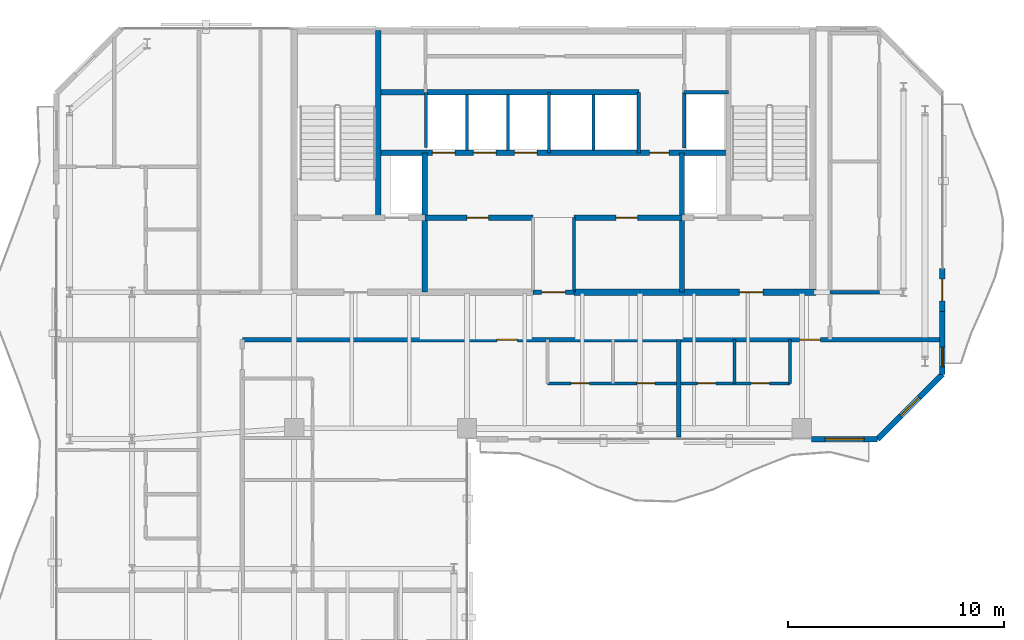
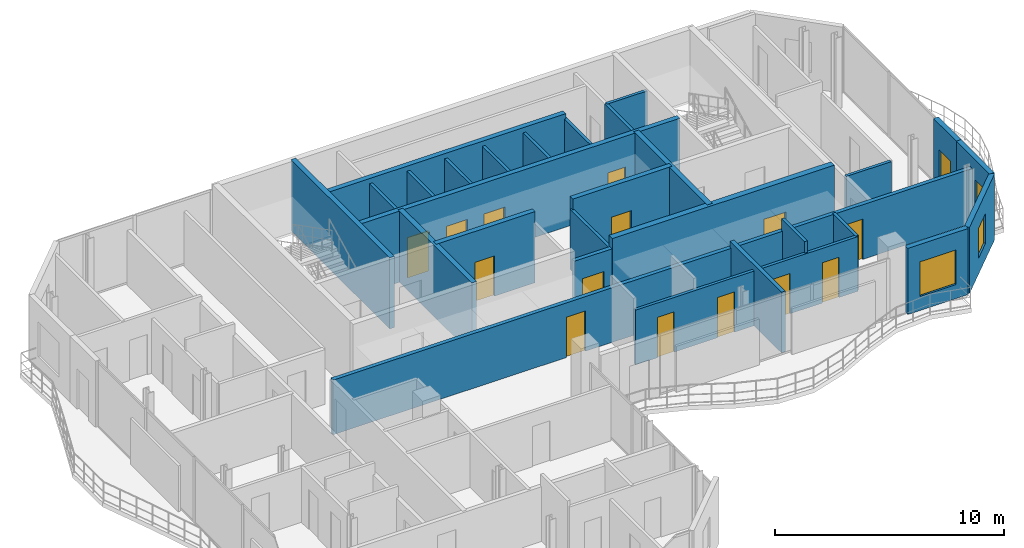
# One storey, part 19 of 22: 28 walls, 15 doors, 3 windows, 18 openings.
"""IFC4 building model written with IfcOpenShell, lengths in metres."""

from ifc_helpers import new_model, si_unit, direction, frame, frame_2d, origin, place, context, subcontext, project, spatial, rectangle, extrude, material, layer, layer_set, type_object, element, fill, save


model = new_model("IFC4")

# Units and contexts
model_context = context("Model", 3, precision=1e-05, world=origin(), true_north=direction((0.0, 1.0)))
body_context = subcontext(model_context, "Body", "Model", "MODEL_VIEW")
ifc_project = project(units=[si_unit("LENGTHUNIT", "METRE"), si_unit("AREAUNIT", "SQUARE_METRE"), si_unit("VOLUMEUNIT", "CUBIC_METRE"), si_unit("PLANEANGLEUNIT", "RADIAN"), si_unit("MASSUNIT", "GRAM", prefix="KILO")], contexts=[model_context])

# Site, building, storey
site_placement = place(None, origin())
site = spatial("IfcSite", under=ifc_project, at=site_placement, CompositionType="ELEMENT")
building_placement = place(site_placement, origin())
building = spatial("IfcBuilding", under=site, at=building_placement, Name="Catumbela Crestline Tower", CompositionType="ELEMENT")
storey_placement = place(building_placement, frame((0.0, 0.0, 226.0)))
storey = spatial("IfcBuildingStorey", under=building, at=storey_placement, Name="L58", CompositionType="ELEMENT", Elevation=226.0)

# Walls
ifc_material_1 = material(Name="Concrete C50/60", Category="concrete")
ifc_layer_1 = layer(ifc_material_1, 0.25, Name="Concrete C50/60")
ifc_layer_set_1 = layer_set([ifc_layer_1], Name="Concrete C50/60")
wall_type_1 = type_object("IfcWallType", Name="CW-250D", PredefinedType="SHEAR", material=ifc_layer_set_1)
wall_1_placement = place(storey_placement, frame((19.9, 34.25, 0.0), z_axis=(0.0, 0.0, 1.0), x_axis=(0.0, 1.0, 0.0)))
element("IfcWall", 1, at=wall_1_placement, inside=storey, type_object=wall_type_1, Name="L58 Structural Core Shear Wall WWEB", PredefinedType="SHEAR", context=body_context, shape_type="SweptSolid", body=[
    extrude(rectangle(XDim=8.65, YDim=0.25, at=frame_2d((4.325, 0.0))), origin(), (0.0, 0.0, 1.0), 3.8),
])
for number, where, z_axis, x_axis, name in (
    (2, (22.05, 30.8, 0.0), (0.0, 0.0, 1.0), (0.0, 1.0, 0.0), "L58 Structural Core Shear Wall FFW"),
    (3, (33.95, 30.8, 0.0), (0.0, 0.0, 1.0), (0.0, 1.0, 0.0), "L58 Structural Core Shear Wall FFE"),
):
    element("IfcWall", number, at=place(storey_placement, frame(where, z_axis=z_axis, x_axis=x_axis)), inside=storey, type_object=wall_type_1, Name=name, PredefinedType="SHEAR", context=body_context, shape_type="SweptSolid", body=[
        extrude(rectangle(XDim=6.45, YDim=0.25, at=frame_2d((3.225, 0.0))), origin(), (0.0, 0.0, 1.0), 3.8),
    ])

# Wall, opening, door
wall_2_placement = place(storey_placement, frame((22.05, 34.25, 0.0), z_axis=(0.0, 0.0, 1.0), x_axis=(1.0, 0.0, 0.0)))
wall_2 = element("IfcWall", 4, at=wall_2_placement, inside=storey, type_object=wall_type_1, Name="L58 Structural Core Shear Wall LIFTS-W", PredefinedType="SHEAR", context=body_context, shape_type="SweptSolid", body=[
    extrude(rectangle(XDim=5.0, YDim=0.25, at=frame_2d((2.5, 0.0))), origin(), (0.0, 0.0, 1.0), 3.8),
])
opening_1_placement = place(wall_2_placement, frame((1.95, 0.0, 0.0)))
opening_1 = element("IfcOpeningElement", 5, at=opening_1_placement, cuts=wall_2, Name="Opening DF9-100", PredefinedType="OPENING", context=body_context, shape_type="SweptSolid", body=[
    extrude(rectangle(XDim=1.0, YDim=2.15, at=frame_2d((0.5, 1.075))), frame((0.0, 0.135, 0.0), z_axis=(0.0, -1.0, 0.0), x_axis=(1.0, 0.0, 0.0)), (0.0, 0.0, 1.0), 0.27),
])
ifc_material_2 = material(Name="Stainless steel EN 1.4401", Category="steel")
door_type_1 = type_object("IfcDoorType", Name="DF9-100", OperationType="NOTDEFINED", PredefinedType="DOOR", material=ifc_material_2)
door_1_placement = place(opening_1_placement, origin())
door_1 = element("IfcDoor", 6, at=door_1_placement, inside=storey, type_object=door_type_1, Name="L58 Interior Door DR-L58-RECL1", OperationType="SINGLE_SWING_LEFT", OverallHeight=2.15, OverallWidth=1.0, PredefinedType="DOOR", context=body_context, shape_type="SweptSolid", body=[
    extrude(rectangle(XDim=1.0, YDim=2.15, at=frame_2d((0.5, 1.075))), frame((0.0, 0.025, 0.0), z_axis=(0.0, -1.0, 0.0), x_axis=(1.0, 0.0, 0.0)), (0.0, 0.0, 1.0), 0.05),
])
fill(opening_1, door_1)

wall_3_placement = place(storey_placement, frame((28.95, 34.25, 0.0), z_axis=(0.0, 0.0, 1.0), x_axis=(1.0, 0.0, 0.0)))
wall_3 = element("IfcWall", 7, at=wall_3_placement, inside=storey, type_object=wall_type_1, Name="L58 Structural Core Shear Wall LIFTS-E", PredefinedType="SHEAR", context=body_context, shape_type="SweptSolid", body=[
    extrude(rectangle(XDim=5.0, YDim=0.25, at=frame_2d((2.5, 0.0))), origin(), (0.0, 0.0, 1.0), 3.8),
])
opening_2_placement = place(wall_3_placement, frame((1.95, 0.0, 0.0)))
opening_2 = element("IfcOpeningElement", 8, at=opening_2_placement, cuts=wall_3, Name="Opening DF9-100", PredefinedType="OPENING", context=body_context, shape_type="SweptSolid", body=[
    extrude(rectangle(XDim=1.0, YDim=2.15, at=frame_2d((0.5, 1.075))), frame((0.0, 0.135, 0.0), z_axis=(0.0, -1.0, 0.0), x_axis=(1.0, 0.0, 0.0)), (0.0, 0.0, 1.0), 0.27),
])
door_2_placement = place(opening_2_placement, origin())
door_2 = element("IfcDoor", 9, at=door_2_placement, inside=storey, type_object=door_type_1, Name="L58 Interior Door DR-L58-RECL2", OperationType="SINGLE_SWING_RIGHT", OverallHeight=2.15, OverallWidth=1.0, PredefinedType="DOOR", context=body_context, shape_type="SweptSolid", body=[
    extrude(rectangle(XDim=1.0, YDim=2.15, at=frame_2d((0.5, 1.075))), frame((0.0, 0.025, 0.0), z_axis=(0.0, -1.0, 0.0), x_axis=(1.0, 0.0, 0.0)), (0.0, 0.0, 1.0), 0.05),
])
fill(opening_2, door_2)

# Wall, openings, doors
wall_4_placement = place(storey_placement, frame((19.9, 37.25, 0.0), z_axis=(0.0, 0.0, 1.0), x_axis=(1.0, 0.0, 0.0)))
wall_4 = element("IfcWall", 10, at=wall_4_placement, inside=storey, type_object=wall_type_1, Name="L58 Structural Core Shear Wall LIFTN", PredefinedType="SHEAR", context=body_context, shape_type="SweptSolid", body=[
    extrude(rectangle(XDim=16.2, YDim=0.25, at=frame_2d((8.1, 0.0))), origin(), (0.0, 0.0, 1.0), 3.8),
])
opening_3_placement = place(wall_4_placement, frame((12.55, 0.0, 0.0)))
opening_3 = element("IfcOpeningElement", 11, at=opening_3_placement, cuts=wall_4, Name="Opening DF9-090", PredefinedType="OPENING", context=body_context, shape_type="SweptSolid", body=[
    extrude(rectangle(XDim=0.9, YDim=2.15, at=frame_2d((0.45, 1.075))), frame((0.0, 0.135, 0.0), z_axis=(0.0, -1.0, 0.0), x_axis=(1.0, 0.0, 0.0)), (0.0, 0.0, 1.0), 0.27),
])
opening_4_placement = place(wall_4_placement, frame((2.5, 0.0, 0.0)))
opening_4 = element("IfcOpeningElement", 12, at=opening_4_placement, cuts=wall_4, Name="Opening LD-105", PredefinedType="OPENING", context=body_context, shape_type="SweptSolid", body=[
    extrude(rectangle(XDim=1.05, YDim=2.15, at=frame_2d((0.525, 1.075))), frame((0.0, 0.135, 0.0), z_axis=(0.0, -1.0, 0.0), x_axis=(1.0, 0.0, 0.0)), (0.0, 0.0, 1.0), 0.27),
])
opening_5_placement = place(wall_4_placement, frame((4.4, 0.0, 0.0)))
opening_5 = element("IfcOpeningElement", 13, at=opening_5_placement, cuts=wall_4, Name="Opening LD-105", PredefinedType="OPENING", context=body_context, shape_type="SweptSolid", body=[
    extrude(rectangle(XDim=1.05, YDim=2.15, at=frame_2d((0.525, 1.075))), frame((0.0, 0.135, 0.0), z_axis=(0.0, -1.0, 0.0), x_axis=(1.0, 0.0, 0.0)), (0.0, 0.0, 1.0), 0.27),
])
opening_6_placement = place(wall_4_placement, frame((6.3, 0.0, 0.0)))
opening_6 = element("IfcOpeningElement", 14, at=opening_6_placement, cuts=wall_4, Name="Opening LD-105", PredefinedType="OPENING", context=body_context, shape_type="SweptSolid", body=[
    extrude(rectangle(XDim=1.05, YDim=2.15, at=frame_2d((0.525, 1.075))), frame((0.0, 0.135, 0.0), z_axis=(0.0, -1.0, 0.0), x_axis=(1.0, 0.0, 0.0)), (0.0, 0.0, 1.0), 0.27),
])
door_type_2 = type_object("IfcDoorType", Name="DF9-090", OperationType="NOTDEFINED", PredefinedType="DOOR", material=ifc_material_2)
door_3_placement = place(opening_3_placement, origin())
door_3 = element("IfcDoor", 15, at=door_3_placement, inside=storey, type_object=door_type_2, Name="L58 Interior Door DR-L58-CPAS1", OperationType="SINGLE_SWING_LEFT", OverallHeight=2.15, OverallWidth=0.9, PredefinedType="DOOR", context=body_context, shape_type="SweptSolid", body=[
    extrude(rectangle(XDim=0.9, YDim=2.15, at=frame_2d((0.45, 1.075))), frame((0.0, 0.025, 0.0), z_axis=(0.0, -1.0, 0.0), x_axis=(1.0, 0.0, 0.0)), (0.0, 0.0, 1.0), 0.05),
])
fill(opening_3, door_3)
door_type_3 = type_object("IfcDoorType", Name="LD-105", OperationType="NOTDEFINED", PredefinedType="DOOR", material=ifc_material_2)
door_4_placement = place(opening_4_placement, origin())
door_4 = element("IfcDoor", 16, at=door_4_placement, inside=storey, type_object=door_type_3, Name="L58 Lift Landing Sliding Door PL-H1", OperationType="DOUBLE_DOOR_SLIDING", OverallHeight=2.15, OverallWidth=1.05, PredefinedType="DOOR", context=body_context, shape_type="SweptSolid", body=[
    extrude(rectangle(XDim=1.05, YDim=2.15, at=frame_2d((0.525, 1.075))), frame((0.0, 0.025, 0.0), z_axis=(0.0, -1.0, 0.0), x_axis=(1.0, 0.0, 0.0)), (0.0, 0.0, 1.0), 0.05),
])
fill(opening_4, door_4)
door_5_placement = place(opening_5_placement, origin())
door_5 = element("IfcDoor", 17, at=door_5_placement, inside=storey, type_object=door_type_3, Name="L58 Lift Landing Sliding Door PL-H2", OperationType="DOUBLE_DOOR_SLIDING", OverallHeight=2.15, OverallWidth=1.05, PredefinedType="DOOR", context=body_context, shape_type="SweptSolid", body=[
    extrude(rectangle(XDim=1.05, YDim=2.15, at=frame_2d((0.525, 1.075))), frame((0.0, 0.025, 0.0), z_axis=(0.0, -1.0, 0.0), x_axis=(1.0, 0.0, 0.0)), (0.0, 0.0, 1.0), 0.05),
])
fill(opening_5, door_5)
door_6_placement = place(opening_6_placement, origin())
door_6 = element("IfcDoor", 18, at=door_6_placement, inside=storey, type_object=door_type_3, Name="L58 Lift Landing Sliding Door PL-H3", OperationType="DOUBLE_DOOR_SLIDING", OverallHeight=2.15, OverallWidth=1.05, PredefinedType="DOOR", context=body_context, shape_type="SweptSolid", body=[
    extrude(rectangle(XDim=1.05, YDim=2.15, at=frame_2d((0.525, 1.075))), frame((0.0, 0.025, 0.0), z_axis=(0.0, -1.0, 0.0), x_axis=(1.0, 0.0, 0.0)), (0.0, 0.0, 1.0), 0.05),
])
fill(opening_6, door_6)

# Wall
wall_5_placement = place(storey_placement, frame((19.9, 40.05, 0.0), z_axis=(0.0, 0.0, 1.0), x_axis=(1.0, 0.0, 0.0)))
element("IfcWall", 19, at=wall_5_placement, inside=storey, type_object=wall_type_1, Name="L58 Structural Core Shear Wall COREN", PredefinedType="SHEAR", context=body_context, shape_type="SweptSolid", body=[
    extrude(rectangle(XDim=12.05, YDim=0.25, at=frame_2d((6.025, 0.0))), origin(), (0.0, 0.0, 1.0), 3.8),
])

# Wall, opening, door
ifc_material_3 = material(Name="Concrete C45/55", Category="concrete")
ifc_layer_2 = layer(ifc_material_3, 0.3, Name="Concrete C45/55")
ifc_layer_set_2 = layer_set([ifc_layer_2], Name="Concrete C45/55")
wall_type_2 = type_object("IfcWallType", Name="CW-300C", PredefinedType="SHEAR", material=ifc_layer_set_2)
wall_6_placement = place(storey_placement, frame((28.95, 30.8, 0.0), z_axis=(0.0, 0.0, 1.0), x_axis=(1.0, 0.0, 0.0)))
wall_6 = element("IfcWall", 20, at=wall_6_placement, inside=storey, type_object=wall_type_2, Name="L58 Structural Core Shear Wall SE", PredefinedType="SHEAR", context=body_context, shape_type="SweptSolid", body=[
    extrude(rectangle(XDim=11.2, YDim=0.3, at=frame_2d((5.6, 0.0))), origin(), (0.0, 0.0, 1.0), 3.8),
])
opening_7_placement = place(wall_6_placement, frame((7.65, 0.0, 0.0)))
opening_7 = element("IfcOpeningElement", 21, at=opening_7_placement, cuts=wall_6, Name="Opening DF9-110", PredefinedType="OPENING", context=body_context, shape_type="SweptSolid", body=[
    extrude(rectangle(XDim=1.1, YDim=2.15, at=frame_2d((0.55, 1.075))), frame((0.0, 0.16, 0.0), z_axis=(0.0, -1.0, 0.0), x_axis=(1.0, 0.0, 0.0)), (0.0, 0.0, 1.0), 0.32),
])
door_type_4 = type_object("IfcDoorType", Name="DF9-110", OperationType="NOTDEFINED", PredefinedType="DOOR", material=ifc_material_2)
door_7_placement = place(opening_7_placement, origin())
door_7 = element("IfcDoor", 22, at=door_7_placement, inside=storey, type_object=door_type_4, Name="L58 Interior Door DR-L58-FFE-S", OperationType="SINGLE_SWING_RIGHT", OverallHeight=2.15, OverallWidth=1.1, PredefinedType="DOOR", context=body_context, shape_type="SweptSolid", body=[
    extrude(rectangle(XDim=1.1, YDim=2.15, at=frame_2d((0.55, 1.075))), frame((0.0, 0.025, 0.0), z_axis=(0.0, -1.0, 0.0), x_axis=(1.0, 0.0, 0.0)), (0.0, 0.0, 1.0), 0.05),
])
fill(opening_7, door_7)

ifc_material_4 = material(Name="Acoustic gypsum and mineral-wool partition")
ifc_layer_3 = layer(ifc_material_4, 0.2, Name="Acoustic gypsum and mineral-wool partition")
ifc_layer_set_3 = layer_set([ifc_layer_3], Name="Acoustic gypsum and mineral-wool partition")
wall_type_3 = type_object("IfcWallType", Name="WC-200", PredefinedType="PARTITIONING", material=ifc_layer_set_3)
wall_7_placement = place(storey_placement, frame((27.05, 30.8, 0.0), z_axis=(0.0, 0.0, 1.0), x_axis=(1.0, 0.0, 0.0)))
wall_7 = element("IfcWall", 23, at=wall_7_placement, inside=storey, type_object=wall_type_3, Name="L58 Interior Partition PW-L58-CLOBS", PredefinedType="PARTITIONING", context=body_context, shape_type="SweptSolid", body=[
    extrude(rectangle(XDim=1.9, YDim=0.2, at=frame_2d((0.95, 0.0))), origin(), (0.0, 0.0, 1.0), 3.22),
])
opening_8_placement = place(wall_7_placement, frame((0.4, 0.0, 0.0)))
opening_8 = element("IfcOpeningElement", 24, at=opening_8_placement, cuts=wall_7, Name="Opening DF9-110", PredefinedType="OPENING", context=body_context, shape_type="SweptSolid", body=[
    extrude(rectangle(XDim=1.1, YDim=2.15, at=frame_2d((0.55, 1.075))), frame((0.0, 0.11, 0.0), z_axis=(0.0, -1.0, 0.0), x_axis=(1.0, 0.0, 0.0)), (0.0, 0.0, 1.0), 0.22),
])
door_8_placement = place(opening_8_placement, origin())
door_8 = element("IfcDoor", 25, at=door_8_placement, inside=storey, type_object=door_type_4, Name="L58 Interior Door DR-L58-CLOBS", OperationType="SINGLE_SWING_LEFT", OverallHeight=2.15, OverallWidth=1.1, PredefinedType="DOOR", context=body_context, shape_type="SweptSolid", body=[
    extrude(rectangle(XDim=1.1, YDim=2.15, at=frame_2d((0.55, 1.075))), frame((0.0, 0.025, 0.0), z_axis=(0.0, -1.0, 0.0), x_axis=(1.0, 0.0, 0.0)), (0.0, 0.0, 1.0), 0.05),
])
fill(opening_8, door_8)

# Wall, openings, doors
wall_8_placement = place(storey_placement, frame((13.6, 28.6, 0.0), z_axis=(0.0, 0.0, 1.0), x_axis=(1.0, 0.0, 0.0)))
wall_8 = element("IfcWall", 26, at=wall_8_placement, inside=storey, type_object=wall_type_3, Name="L58 Interior Partition PW-L58-RCWR", PredefinedType="PARTITIONING", context=body_context, shape_type="SweptSolid", body=[
    extrude(rectangle(XDim=32.3, YDim=0.2, at=frame_2d((16.15, 0.0))), origin(), (0.0, 0.0, 1.0), 2.92),
])
opening_9_placement = place(wall_8_placement, frame((11.787, 0.0, 0.0)))
opening_9 = element("IfcOpeningElement", 27, at=opening_9_placement, cuts=wall_8, Name="Opening DF6-095", PredefinedType="OPENING", context=body_context, shape_type="SweptSolid", body=[
    extrude(rectangle(XDim=0.95, YDim=2.15, at=frame_2d((0.475, 1.075))), frame((0.0, 0.11, 0.0), z_axis=(0.0, -1.0, 0.0), x_axis=(1.0, 0.0, 0.0)), (0.0, 0.0, 1.0), 0.22),
])
opening_10_placement = place(wall_8_placement, frame((25.8, 0.0, 0.0)))
opening_10 = element("IfcOpeningElement", 28, at=opening_10_placement, cuts=wall_8, Name="Opening DF6-095", PredefinedType="OPENING", context=body_context, shape_type="SweptSolid", body=[
    extrude(rectangle(XDim=0.95, YDim=2.15, at=frame_2d((0.475, 1.075))), frame((0.0, 0.11, 0.0), z_axis=(0.0, -1.0, 0.0), x_axis=(1.0, 0.0, 0.0)), (0.0, 0.0, 1.0), 0.22),
])
ifc_material_5 = material(Name="Aluminium alloy AW-6060-T66", Category="aluminium")
door_type_5 = type_object("IfcDoorType", Name="DF6-095", OperationType="NOTDEFINED", PredefinedType="DOOR", material=ifc_material_5)
door_9_placement = place(opening_9_placement, origin())
door_9 = element("IfcDoor", 29, at=door_9_placement, inside=storey, type_object=door_type_5, Name="L58 Interior Door DR-L58-S1-ENT", OperationType="SINGLE_SWING_LEFT", OverallHeight=2.15, OverallWidth=0.95, PredefinedType="DOOR", context=body_context, shape_type="SweptSolid", body=[
    extrude(rectangle(XDim=0.95, YDim=2.15, at=frame_2d((0.475, 1.075))), frame((0.0, 0.025, 0.0), z_axis=(0.0, -1.0, 0.0), x_axis=(1.0, 0.0, 0.0)), (0.0, 0.0, 1.0), 0.05),
])
fill(opening_9, door_9)
door_10_placement = place(opening_10_placement, origin())
door_10 = element("IfcDoor", 30, at=door_10_placement, inside=storey, type_object=door_type_5, Name="L58 Interior Door DR-L58-S2-ENT", OperationType="SINGLE_SWING_RIGHT", OverallHeight=2.15, OverallWidth=0.95, PredefinedType="DOOR", context=body_context, shape_type="SweptSolid", body=[
    extrude(rectangle(XDim=0.95, YDim=2.15, at=frame_2d((0.475, 1.075))), frame((0.0, 0.025, 0.0), z_axis=(0.0, -1.0, 0.0), x_axis=(1.0, 0.0, 0.0)), (0.0, 0.0, 1.0), 0.05),
])
fill(opening_10, door_10)

# Wall, opening, window
ifc_material_6 = material(Name="Angolan grey-ochre granite", Category="masonry")
ifc_layer_4 = layer(ifc_material_6, 0.25, Name="Angolan grey-ochre granite")
ifc_layer_set_4 = layer_set([ifc_layer_4], Name="Angolan grey-ochre granite")
wall_type_4 = type_object("IfcWallType", Name="WE-250", PredefinedType="STANDARD", material=ifc_layer_set_4)
wall_9_placement = place(storey_placement, frame((39.95, 24.0, 0.0), z_axis=(0.0, 0.0, 1.0), x_axis=(1.0, 0.0, 0.0)))
wall_9 = element("IfcWall", 31, at=wall_9_placement, inside=storey, type_object=wall_type_4, Name="L58 Granite Punched Window Wall 3-3", PredefinedType="STANDARD", context=body_context, shape_type="SweptSolid", body=[
    extrude(rectangle(XDim=3.05, YDim=0.25, at=frame_2d((1.525, 0.0))), origin(), (0.0, 0.0, 1.0), 3.53),
])
opening_11_placement = place(wall_9_placement, frame((0.625, 0.0, 0.75)))
opening_11 = element("IfcOpeningElement", 32, at=opening_11_placement, cuts=wall_9, Name="Opening WN-01", PredefinedType="OPENING", context=body_context, shape_type="SweptSolid", body=[
    extrude(rectangle(XDim=1.8, YDim=1.85, at=frame_2d((0.9, 0.925))), frame((0.0, 0.135, 0.0), z_axis=(0.0, -1.0, 0.0), x_axis=(1.0, 0.0, 0.0)), (0.0, 0.0, 1.0), 0.27),
])
ifc_material_7 = material(Name="Low-E laminated solar-control double glazing", Category="glass")
window_type_1 = type_object("IfcWindowType", Name="WF-1800", PartitioningType="SINGLE_PANEL", PredefinedType="WINDOW", material=ifc_material_7)
window_1_placement = place(opening_11_placement, origin())
window_1 = element("IfcWindow", 33, at=window_1_placement, inside=storey, type_object=window_type_1, Name="L58 Facade Vision Window 407", OverallHeight=1.85, OverallWidth=1.8, PartitioningType="SINGLE_PANEL", PredefinedType="WINDOW", context=body_context, shape_type="SweptSolid", body=[
    extrude(rectangle(XDim=1.8, YDim=1.85, at=frame_2d((0.9, 0.925))), frame((0.0, 0.03, 0.0), z_axis=(0.0, -1.0, 0.0), x_axis=(1.0, 0.0, 0.0)), (0.0, 0.0, 1.0), 0.06),
])
fill(opening_11, window_1)

wall_10_placement = place(storey_placement, frame((43.0, 24.0, 0.0), z_axis=(0.0, 0.0, 1.0), x_axis=(0.707106781187, 0.707106781187, 0.0)))
wall_10 = element("IfcWall", 34, at=wall_10_placement, inside=storey, type_object=wall_type_4, Name="L58 Granite Punched Window Wall 4-1", PredefinedType="STANDARD", context=body_context, shape_type="SweptSolid", body=[
    extrude(rectangle(XDim=4.2426, YDim=0.25, at=frame_2d((2.1213, 0.0))), origin(), (0.0, 0.0, 1.0), 3.53),
])
opening_12_placement = place(wall_10_placement, frame((1.5213, 0.0, 0.85)))
opening_12 = element("IfcOpeningElement", 35, at=opening_12_placement, cuts=wall_10, Name="Opening WN-02", PredefinedType="OPENING", context=body_context, shape_type="SweptSolid", body=[
    extrude(rectangle(XDim=1.2, YDim=1.6, at=frame_2d((0.6, 0.8))), frame((0.0, 0.135, 0.0), z_axis=(0.0, -1.0, 0.0), x_axis=(1.0, 0.0, 0.0)), (0.0, 0.0, 1.0), 0.27),
])
window_type_2 = type_object("IfcWindowType", Name="WO-1200", PartitioningType="SINGLE_PANEL", PredefinedType="WINDOW", material=ifc_material_7)
window_2_placement = place(opening_12_placement, origin())
window_2 = element("IfcWindow", 36, at=window_2_placement, inside=storey, type_object=window_type_2, Name="L58 Facade Vision Window 408", OverallHeight=1.6, OverallWidth=1.2, PartitioningType="SINGLE_PANEL", PredefinedType="WINDOW", context=body_context, shape_type="SweptSolid", body=[
    extrude(rectangle(XDim=1.2, YDim=1.6, at=frame_2d((0.6, 0.8))), frame((0.0, 0.03, 0.0), z_axis=(0.0, -1.0, 0.0), x_axis=(1.0, 0.0, 0.0)), (0.0, 0.0, 1.0), 0.06),
])
fill(opening_12, window_2)

# Wall, opening, door
wall_11_placement = place(storey_placement, frame((46.0, 29.9, 0.0), z_axis=(0.0, 0.0, 1.0), x_axis=(0.0, 1.0, 0.0)))
wall_11 = element("IfcWall", 37, at=wall_11_placement, inside=storey, type_object=wall_type_4, Name="L58 Exterior Threshold Portal Wall DR-L58-WBAL-2", PredefinedType="STANDARD", context=body_context, shape_type="SweptSolid", body=[
    extrude(rectangle(XDim=2.0, YDim=0.25, at=frame_2d((1.0, 0.0))), origin(), (0.0, 0.0, 1.0), 3.53),
])
opening_13_placement = place(wall_11_placement, frame((0.5, 0.0, 0.0)))
opening_13 = element("IfcOpeningElement", 38, at=opening_13_placement, cuts=wall_11, Name="Opening DB-L58-2", PredefinedType="OPENING", context=body_context, shape_type="SweptSolid", body=[
    extrude(rectangle(XDim=1.0, YDim=2.15, at=frame_2d((0.5, 1.075))), frame((0.0, 0.135, 0.0), z_axis=(0.0, -1.0, 0.0), x_axis=(1.0, 0.0, 0.0)), (0.0, 0.0, 1.0), 0.27),
])
door_type_6 = type_object("IfcDoorType", Name="DB-1000", OperationType="NOTDEFINED", PredefinedType="DOOR", material=ifc_material_5)
door_11_placement = place(opening_13_placement, origin())
door_11 = element("IfcDoor", 39, at=door_11_placement, inside=storey, type_object=door_type_6, Name="L58 Wave Balcony Terrace Door 2", OperationType="SINGLE_SWING_LEFT", OverallHeight=2.15, OverallWidth=1.0, PredefinedType="DOOR", context=body_context, shape_type="SweptSolid", body=[
    extrude(rectangle(XDim=1.0, YDim=2.15, at=frame_2d((0.5, 1.075))), frame((0.0, 0.025, 0.0), z_axis=(0.0, -1.0, 0.0), x_axis=(1.0, 0.0, 0.0)), (0.0, 0.0, 1.0), 0.05),
])
fill(opening_13, door_11)

# Wall, opening, window
wall_12_placement = place(storey_placement, frame((46.0, 27.0, 0.0), z_axis=(0.0, 0.0, 1.0), x_axis=(0.0, 1.0, 0.0)))
wall_12 = element("IfcWall", 40, at=wall_12_placement, inside=storey, type_object=wall_type_4, Name="L58 Granite Punched Window Wall 5-1", PredefinedType="STANDARD", context=body_context, shape_type="SweptSolid", body=[
    extrude(rectangle(XDim=2.9, YDim=0.25, at=frame_2d((1.45, 0.0))), origin(), (0.0, 0.0, 1.0), 3.53),
])
opening_14_placement = place(wall_12_placement, frame((0.36, 0.0, 0.9)))
opening_14 = element("IfcOpeningElement", 41, at=opening_14_placement, cuts=wall_12, Name="Opening WN-03", PredefinedType="OPENING", context=body_context, shape_type="SweptSolid", body=[
    extrude(rectangle(XDim=0.9, YDim=1.55, at=frame_2d((0.45, 0.775))), frame((0.0, 0.135, 0.0), z_axis=(0.0, -1.0, 0.0), x_axis=(1.0, 0.0, 0.0)), (0.0, 0.0, 1.0), 0.27),
])
window_type_3 = type_object("IfcWindowType", Name="WO-0900", PartitioningType="SINGLE_PANEL", PredefinedType="WINDOW", material=ifc_material_7)
window_3_placement = place(opening_14_placement, origin())
window_3 = element("IfcWindow", 42, at=window_3_placement, inside=storey, type_object=window_type_3, Name="L58 Facade Vision Window 409", OverallHeight=1.55, OverallWidth=0.9, PartitioningType="SINGLE_PANEL", PredefinedType="WINDOW", context=body_context, shape_type="SweptSolid", body=[
    extrude(rectangle(XDim=0.9, YDim=1.55, at=frame_2d((0.45, 0.775))), frame((0.0, 0.03, 0.0), z_axis=(0.0, -1.0, 0.0), x_axis=(1.0, 0.0, 0.0)), (0.0, 0.0, 1.0), 0.06),
])
fill(opening_14, window_3)

# Walls
ifc_layer_5 = layer(ifc_material_4, 0.15, Name="Acoustic gypsum and mineral-wool partition")
ifc_layer_set_5 = layer_set([ifc_layer_5], Name="Acoustic gypsum and mineral-wool partition")
wall_type_5 = type_object("IfcWallType", Name="WP-150", PredefinedType="PARTITIONING", material=ifc_layer_set_5)
wall_13_placement = place(storey_placement, frame((34.05, 40.05, 0.0), z_axis=(0.0, 0.0, 1.0), x_axis=(1.0, 0.0, 0.0)))
element("IfcWall", 43, at=wall_13_placement, inside=storey, type_object=wall_type_5, Name="L58 Interior Partition PW-L58-CR-ES", PredefinedType="PARTITIONING", context=body_context, shape_type="SweptSolid", body=[
    extrude(rectangle(XDim=2.05, YDim=0.15, at=frame_2d((1.025, 0.0))), origin(), (0.0, 0.0, 1.0), 3.53),
])
wall_14_placement = place(storey_placement, frame((40.8, 30.8, 0.0), z_axis=(0.0, 0.0, 1.0), x_axis=(1.0, 0.0, 0.0)))
element("IfcWall", 44, at=wall_14_placement, inside=storey, type_object=wall_type_5, Name="L58 Interior Partition PW-L58-NE1-KBS", PredefinedType="PARTITIONING", context=body_context, shape_type="SweptSolid", body=[
    extrude(rectangle(XDim=2.28, YDim=0.15, at=frame_2d((1.14, 0.0))), origin(), (0.0, 0.0, 1.0), 2.92),
])

# Wall, openings, doors
wall_15_placement = place(storey_placement, frame((27.724, 26.576, 0.0), z_axis=(0.0, 0.0, 1.0), x_axis=(1.0, 0.0, 0.0)))
wall_15 = element("IfcWall", 45, at=wall_15_placement, inside=storey, type_object=wall_type_5, Name="L58 Interior Partition PW-L58-S1-KBD1", PredefinedType="PARTITIONING", context=body_context, shape_type="SweptSolid", body=[
    extrude(rectangle(XDim=11.226, YDim=0.15, at=frame_2d((5.613, 0.0))), origin(), (0.0, 0.0, 1.0), 2.92),
])
opening_15_placement = place(wall_15_placement, frame((1.094, 0.0, 0.0)))
opening_15 = element("IfcOpeningElement", 46, at=opening_15_placement, cuts=wall_15, Name="Opening DI-085", PredefinedType="OPENING", context=body_context, shape_type="SweptSolid", body=[
    extrude(rectangle(XDim=0.85, YDim=2.15, at=frame_2d((0.425, 1.075))), frame((0.0, 0.085, 0.0), z_axis=(0.0, -1.0, 0.0), x_axis=(1.0, 0.0, 0.0)), (0.0, 0.0, 1.0), 0.17),
])
opening_16_placement = place(wall_15_placement, frame((4.132, 0.0, 0.0)))
opening_16 = element("IfcOpeningElement", 47, at=opening_16_placement, cuts=wall_15, Name="Opening DI-085", PredefinedType="OPENING", context=body_context, shape_type="SweptSolid", body=[
    extrude(rectangle(XDim=0.85, YDim=2.15, at=frame_2d((0.425, 1.075))), frame((0.0, 0.085, 0.0), z_axis=(0.0, -1.0, 0.0), x_axis=(1.0, 0.0, 0.0)), (0.0, 0.0, 1.0), 0.17),
])
opening_17_placement = place(wall_15_placement, frame((6.9385, 0.0, 0.0)))
opening_17 = element("IfcOpeningElement", 48, at=opening_17_placement, cuts=wall_15, Name="Opening DI-085", PredefinedType="OPENING", context=body_context, shape_type="SweptSolid", body=[
    extrude(rectangle(XDim=0.85, YDim=2.15, at=frame_2d((0.425, 1.075))), frame((0.0, 0.085, 0.0), z_axis=(0.0, -1.0, 0.0), x_axis=(1.0, 0.0, 0.0)), (0.0, 0.0, 1.0), 0.17),
])
opening_18_placement = place(wall_15_placement, frame((9.4225, 0.0, 0.0)))
opening_18 = element("IfcOpeningElement", 49, at=opening_18_placement, cuts=wall_15, Name="Opening DI-085", PredefinedType="OPENING", context=body_context, shape_type="SweptSolid", body=[
    extrude(rectangle(XDim=0.85, YDim=2.15, at=frame_2d((0.425, 1.075))), frame((0.0, 0.085, 0.0), z_axis=(0.0, -1.0, 0.0), x_axis=(1.0, 0.0, 0.0)), (0.0, 0.0, 1.0), 0.17),
])
door_type_7 = type_object("IfcDoorType", Name="DI-085", OperationType="NOTDEFINED", PredefinedType="DOOR", material=ifc_material_5)
door_12_placement = place(opening_15_placement, origin())
door_12 = element("IfcDoor", 50, at=door_12_placement, inside=storey, type_object=door_type_7, Name="L58 Interior Door DR-L58-S1-BTH", OperationType="SINGLE_SWING_LEFT", OverallHeight=2.15, OverallWidth=0.85, PredefinedType="DOOR", context=body_context, shape_type="SweptSolid", body=[
    extrude(rectangle(XDim=0.85, YDim=2.15, at=frame_2d((0.425, 1.075))), frame((0.0, 0.025, 0.0), z_axis=(0.0, -1.0, 0.0), x_axis=(1.0, 0.0, 0.0)), (0.0, 0.0, 1.0), 0.05),
])
fill(opening_15, door_12)
door_13_placement = place(opening_16_placement, origin())
door_13 = element("IfcDoor", 51, at=door_13_placement, inside=storey, type_object=door_type_7, Name="L58 Interior Door DR-L58-S1-KIT", OperationType="SINGLE_SWING_RIGHT", OverallHeight=2.15, OverallWidth=0.85, PredefinedType="DOOR", context=body_context, shape_type="SweptSolid", body=[
    extrude(rectangle(XDim=0.85, YDim=2.15, at=frame_2d((0.425, 1.075))), frame((0.0, 0.025, 0.0), z_axis=(0.0, -1.0, 0.0), x_axis=(1.0, 0.0, 0.0)), (0.0, 0.0, 1.0), 0.05),
])
fill(opening_16, door_13)
door_14_placement = place(opening_17_placement, origin())
door_14 = element("IfcDoor", 52, at=door_14_placement, inside=storey, type_object=door_type_7, Name="L58 Interior Door DR-L58-S2-KIT", OperationType="SINGLE_SWING_LEFT", OverallHeight=2.15, OverallWidth=0.85, PredefinedType="DOOR", context=body_context, shape_type="SweptSolid", body=[
    extrude(rectangle(XDim=0.85, YDim=2.15, at=frame_2d((0.425, 1.075))), frame((0.0, 0.025, 0.0), z_axis=(0.0, -1.0, 0.0), x_axis=(1.0, 0.0, 0.0)), (0.0, 0.0, 1.0), 0.05),
])
fill(opening_17, door_14)
door_15_placement = place(opening_18_placement, origin())
door_15 = element("IfcDoor", 53, at=door_15_placement, inside=storey, type_object=door_type_7, Name="L58 Interior Door DR-L58-S2-BTH", OperationType="SINGLE_SWING_RIGHT", OverallHeight=2.15, OverallWidth=0.85, PredefinedType="DOOR", context=body_context, shape_type="SweptSolid", body=[
    extrude(rectangle(XDim=0.85, YDim=2.15, at=frame_2d((0.425, 1.075))), frame((0.0, 0.025, 0.0), z_axis=(0.0, -1.0, 0.0), x_axis=(1.0, 0.0, 0.0)), (0.0, 0.0, 1.0), 0.05),
])
fill(opening_18, door_15)

# Walls
wall_16_placement = place(storey_placement, frame((38.95, 26.576, 0.0), z_axis=(0.0, 0.0, 1.0), x_axis=(0.0, 1.0, 0.0)))
element("IfcWall", 54, at=wall_16_placement, inside=storey, type_object=wall_type_5, Name="L58 Interior Partition PW-L58-S2-KBE", PredefinedType="PARTITIONING", context=body_context, shape_type="SweptSolid", body=[
    extrude(rectangle(XDim=2.024, YDim=0.15, at=frame_2d((1.012, 0.0))), origin(), (0.0, 0.0, 1.0), 2.92),
])
wall_17_placement = place(storey_placement, frame((36.375, 26.576, 0.0), z_axis=(0.0, 0.0, 1.0), x_axis=(0.0, 1.0, 0.0)))
element("IfcWall", 55, at=wall_17_placement, inside=storey, type_object=wall_type_5, Name="L58 Interior Partition PW-L58-S2-KBM", PredefinedType="PARTITIONING", context=body_context, shape_type="SweptSolid", body=[
    extrude(rectangle(XDim=2.024, YDim=0.15, at=frame_2d((1.012, 0.0))), origin(), (0.0, 0.0, 1.0), 3.53),
])
ifc_layer_6 = layer(ifc_material_4, 0.2, Name="Acoustic gypsum and mineral-wool partition")
ifc_layer_set_6 = layer_set([ifc_layer_6], Name="Acoustic gypsum and mineral-wool partition")
wall_type_6 = type_object("IfcWallType", Name="WY-200", PredefinedType="PARTITIONING", material=ifc_layer_set_6)
wall_18_placement = place(storey_placement, frame((33.8, 24.1, 0.0), z_axis=(0.0, 0.0, 1.0), x_axis=(0.0, 1.0, 0.0)))
element("IfcWall", 56, at=wall_18_placement, inside=storey, type_object=wall_type_6, Name="L58 Interior Partition PW-L58-RSPP-2", PredefinedType="PARTITIONING", context=body_context, shape_type="SweptSolid", body=[
    extrude(rectangle(XDim=4.5, YDim=0.2, at=frame_2d((2.25, 0.0))), origin(), (0.0, 0.0, 1.0), 3.24),
])
ifc_layer_7 = layer(ifc_material_4, 0.15, Name="Acoustic gypsum and mineral-wool partition")
ifc_layer_set_7 = layer_set([ifc_layer_7], Name="Acoustic gypsum and mineral-wool partition")
wall_type_7 = type_object("IfcWallType", Name="WS-150", PredefinedType="PLUMBINGWALL", material=ifc_layer_set_7)
wall_19_placement = place(storey_placement, frame((28.95, 30.8, 0.0), z_axis=(0.0, 0.0, 1.0), x_axis=(0.0, 1.0, 0.0)))
element("IfcWall", 57, at=wall_19_placement, inside=storey, type_object=wall_type_7, Name="L58 Interior Partition PW-L58-THRE", PredefinedType="PLUMBINGWALL", context=body_context, shape_type="SweptSolid", body=[
    extrude(rectangle(XDim=3.45, YDim=0.15, at=frame_2d((1.725, 0.0))), origin(), (0.0, 0.0, 1.0), 3.22),
])
wall_20_placement = place(storey_placement, frame((22.1, 37.4897, 0.0), z_axis=(0.0, 0.0, 1.0), x_axis=(0.0, 1.0, 0.0)))
element("IfcWall", 58, at=wall_20_placement, inside=storey, type_object=wall_type_7, Name="L58 Interior Partition PW-L58-SHH0", PredefinedType="PLUMBINGWALL", context=body_context, shape_type="SweptSolid", body=[
    extrude(rectangle(XDim=2.5603, YDim=0.15, at=frame_2d((1.2801, 0.0))), origin(), (0.0, 0.0, 1.0), 3.53),
])
wall_21_placement = place(storey_placement, frame((27.8, 37.25, 0.0), z_axis=(0.0, 0.0, 1.0), x_axis=(0.0, 1.0, 0.0)))
element("IfcWall", 59, at=wall_21_placement, inside=storey, type_object=wall_type_7, Name="L58 Interior Partition PW-L58-SHH3", PredefinedType="PLUMBINGWALL", context=body_context, shape_type="SweptSolid", body=[
    extrude(rectangle(XDim=2.8, YDim=0.15, at=frame_2d((1.4, 0.0))), origin(), (0.0, 0.0, 1.0), 3.53),
])
for number, where, z_axis, x_axis, name in (
    (60, (24.0, 37.35, 0.0), (0.0, 0.0, 1.0), (0.0, 1.0, 0.0), "L58 Interior Partition PW-L58-SHH1"),
    (61, (25.9, 37.35, 0.0), (0.0, 0.0, 1.0), (0.0, 1.0, 0.0), "L58 Interior Partition PW-L58-SHH2"),
):
    element("IfcWall", number, at=place(storey_placement, frame(where, z_axis=z_axis, x_axis=x_axis)), inside=storey, type_object=wall_type_7, Name=name, PredefinedType="PLUMBINGWALL", context=body_context, shape_type="SweptSolid", body=[
        extrude(rectangle(XDim=2.6, YDim=0.15, at=frame_2d((1.3, 0.0))), origin(), (0.0, 0.0, 1.0), 3.53),
    ])
wall_22_placement = place(storey_placement, frame((31.95, 37.25, 0.0), z_axis=(0.0, 0.0, 1.0), x_axis=(0.0, 1.0, 0.0)))
element("IfcWall", 62, at=wall_22_placement, inside=storey, type_object=wall_type_7, Name="L58 Interior Partition PW-L58-SHEX2E", PredefinedType="PLUMBINGWALL", context=body_context, shape_type="SweptSolid", body=[
    extrude(rectangle(XDim=2.8, YDim=0.15, at=frame_2d((1.4, 0.0))), origin(), (0.0, 0.0, 1.0), 3.53),
])
wall_23_placement = place(storey_placement, frame((29.85, 37.35, 0.0), z_axis=(0.0, 0.0, 1.0), x_axis=(0.0, 1.0, 0.0)))
element("IfcWall", 63, at=wall_23_placement, inside=storey, type_object=wall_type_7, Name="L58 Interior Partition PW-L58-SHEX1", PredefinedType="PLUMBINGWALL", context=body_context, shape_type="SweptSolid", body=[
    extrude(rectangle(XDim=2.6, YDim=0.15, at=frame_2d((1.3, 0.0))), origin(), (0.0, 0.0, 1.0), 3.53),
])
wall_24_placement = place(storey_placement, frame((34.05, 37.4734, 0.0), z_axis=(0.0, 0.0, 1.0), x_axis=(0.0, 1.0, 0.0)))
element("IfcWall", 64, at=wall_24_placement, inside=storey, type_object=wall_type_7, Name="L58 Interior Partition PW-L58-RISW", PredefinedType="PLUMBINGWALL", context=body_context, shape_type="SweptSolid", body=[
    extrude(rectangle(XDim=2.5766, YDim=0.15, at=frame_2d((1.2883, 0.0))), origin(), (0.0, 0.0, 1.0), 3.53),
])

save(model, "model.ifc")
